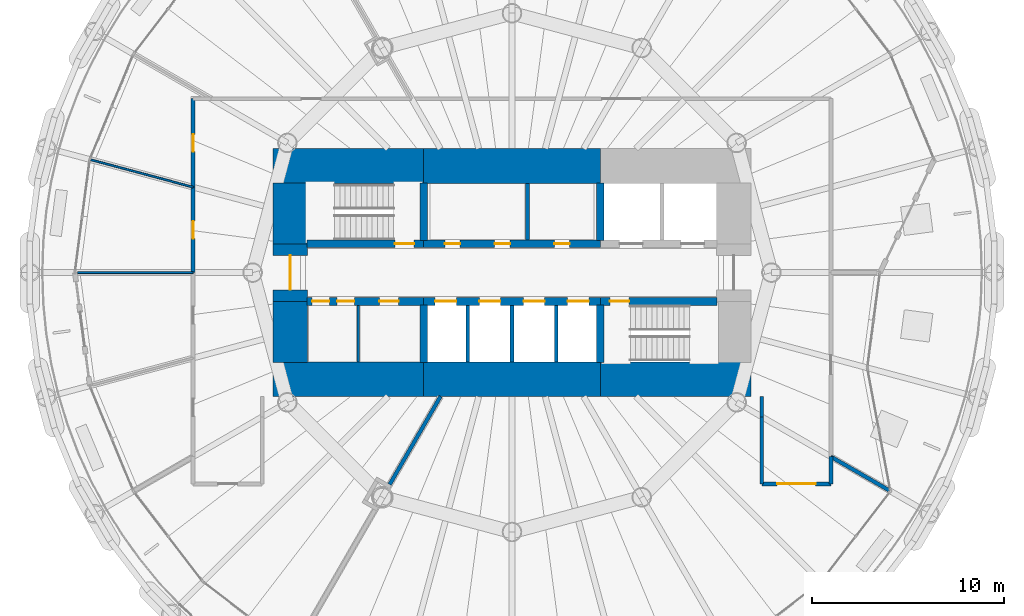
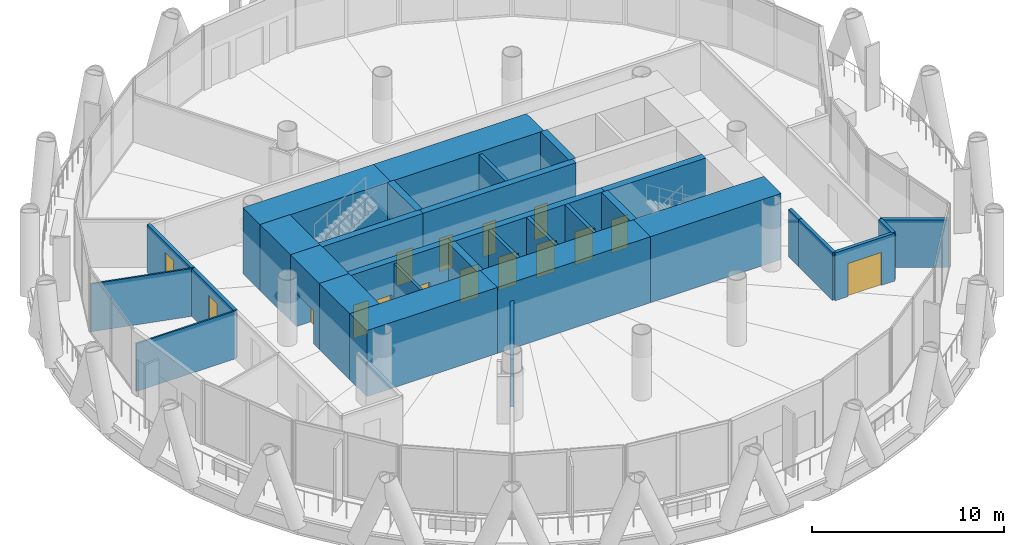
# One storey, part 10 of 15: 32 walls, 16 doors, 16 openings.
"""IFC4 building model written with IfcOpenShell, lengths in metres."""

from ifc_helpers import new_model, si_unit, direction, frame, frame_2d, origin, place, context, subcontext, project, spatial, rectangle, extrude, material, layer, layer_set, type_object, element, fill, save


model = new_model("IFC4")

# Units and contexts
model_context = context("Model", 3, precision=1e-05, world=origin(), true_north=direction((0.0, 1.0)))
body_context = subcontext(model_context, "Body", "Model", "MODEL_VIEW")
ifc_project = project(units=[si_unit("LENGTHUNIT", "METRE"), si_unit("AREAUNIT", "SQUARE_METRE"), si_unit("VOLUMEUNIT", "CUBIC_METRE"), si_unit("PLANEANGLEUNIT", "RADIAN"), si_unit("MASSUNIT", "GRAM", prefix="KILO")], contexts=[model_context])

# Site, building, storey
site_placement = place(None, origin())
site = spatial("IfcSite", under=ifc_project, at=site_placement, CompositionType="ELEMENT")
building_placement = place(site_placement, origin())
building = spatial("IfcBuilding", under=site, at=building_placement, Name="Qaws Media Tower", CompositionType="ELEMENT")
storey_placement = place(building_placement, frame((0.0, 0.0, 122.60009765625)))
storey = spatial("IfcBuildingStorey", under=building, at=storey_placement, Name="L27", CompositionType="ELEMENT", Elevation=122.60009765625)

# Wall, opening, door
ifc_material_1 = material(Name="Concrete C60/75", Category="concrete")
ifc_layer_1 = layer(ifc_material_1, 0.39990234375)
ifc_layer_set_1 = layer_set([ifc_layer_1], Name="Core inner wall 400")
wall_type_1 = type_object("IfcWallType", Name="Core inner wall 400", PredefinedType="SHEAR", material=ifc_layer_set_1)
wall_1_placement = place(storey_placement, frame((49.330078125, 51.5, 0.0), z_axis=(0.0, 0.0, 1.0), x_axis=(1.0, 0.0, 0.0)))
wall_1 = element("IfcWall", 1, at=wall_1_placement, inside=storey, type_object=wall_type_1, Name="W321 SW4 core wall SPNW L27", PredefinedType="SHEAR", context=body_context, shape_type="SweptSolid", body=[
    extrude(rectangle(XDim=6.06982421875, YDim=0.39990234375, at=frame_2d((3.034912109375, 0.0))), origin(), (0.0, 0.0, 1.0), 4.199951171875),
])
opening_1_placement = place(wall_1_placement, frame((4.570068359375, 0.0, 0.0)))
opening_1 = element("IfcOpeningElement", 2, at=opening_1_placement, cuts=wall_1, Name="Opening D1", PredefinedType="OPENING", context=body_context, shape_type="SweptSolid", body=[
    extrude(rectangle(XDim=1.0, YDim=2.10009765625, at=frame_2d((0.5, 1.050048828125))), frame((0.0, 0.2099609375, 0.0), z_axis=(0.0, -1.0, 0.0), x_axis=(1.0, 0.0, 0.0)), (0.0, 0.0, 1.0), 0.419921875),
])
ifc_material_2 = material(Name="Steel, fire rated", Category="steel")
door_type_1 = type_object("IfcDoorType", Name="Stair door 1000 FD120", OperationType="SINGLE_SWING_LEFT", PredefinedType="DOOR", material=ifc_material_2)
door_1_placement = place(opening_1_placement, origin())
door_1 = element("IfcDoor", 3, at=door_1_placement, inside=storey, type_object=door_type_1, Name="D1 stair S1 door L27 in wall W321", OperationType="SINGLE_SWING_LEFT", OverallHeight=2.10009765625, OverallWidth=1.0, PredefinedType="DOOR", context=body_context, shape_type="SweptSolid", body=[
    extrude(rectangle(XDim=1.0, YDim=2.10009765625, at=frame_2d((0.5, 1.050048828125))), frame((0.0, 0.02490234375, 0.0), z_axis=(0.0, -1.0, 0.0), x_axis=(1.0, 0.0, 0.0)), (0.0, 0.0, 1.0), 0.050048828125),
])
fill(opening_1, door_1)

# Wall, openings, doors
wall_2_placement = place(storey_placement, frame((55.39990234375, 51.5, 0.0), z_axis=(0.0, 0.0, 1.0), x_axis=(1.0, 0.0, 0.0)))
wall_2 = element("IfcWall", 4, at=wall_2_placement, inside=storey, type_object=wall_type_1, Name="W314 SW4 core wall SPN L27", PredefinedType="SHEAR", context=body_context, shape_type="SweptSolid", body=[
    extrude(rectangle(XDim=9.2001953125, YDim=0.39990234375, at=frame_2d((4.60009765625, 0.0))), origin(), (0.0, 0.0, 1.0), 4.199951171875),
])
opening_2_placement = place(wall_2_placement, frame((1.10009765625, 0.0, 0.0)))
opening_2 = element("IfcOpeningElement", 5, at=opening_2_placement, cuts=wall_2, Name="Opening D23", PredefinedType="OPENING", context=body_context, shape_type="SweptSolid", body=[
    extrude(rectangle(XDim=0.800048828125, YDim=2.10009765625, at=frame_2d((0.39990234375, 1.050048828125))), frame((0.0, 0.2099609375, 0.0), z_axis=(0.0, -1.0, 0.0), x_axis=(1.0, 0.0, 0.0)), (0.0, 0.0, 1.0), 0.419921875),
])
opening_3_placement = place(wall_2_placement, frame((3.699951171875, 0.0, 0.0)))
opening_3 = element("IfcOpeningElement", 6, at=opening_3_placement, cuts=wall_2, Name="Opening D23", PredefinedType="OPENING", context=body_context, shape_type="SweptSolid", body=[
    extrude(rectangle(XDim=0.800048828125, YDim=2.10009765625, at=frame_2d((0.39990234375, 1.050048828125))), frame((0.0, 0.2099609375, 0.0), z_axis=(0.0, -1.0, 0.0), x_axis=(1.0, 0.0, 0.0)), (0.0, 0.0, 1.0), 0.419921875),
])
opening_4_placement = place(wall_2_placement, frame((6.800048828125, 0.0, 0.0)))
opening_4 = element("IfcOpeningElement", 7, at=opening_4_placement, cuts=wall_2, Name="Opening D23", PredefinedType="OPENING", context=body_context, shape_type="SweptSolid", body=[
    extrude(rectangle(XDim=0.800048828125, YDim=2.10009765625, at=frame_2d((0.39990234375, 1.050048828125))), frame((0.0, 0.2099609375, 0.0), z_axis=(0.0, -1.0, 0.0), x_axis=(1.0, 0.0, 0.0)), (0.0, 0.0, 1.0), 0.419921875),
])
ifc_material_3 = material(Name="Steel, fire rated", Category="steel")
door_type_2 = type_object("IfcDoorType", Name="Core room door 800x2100", OperationType="SINGLE_SWING_LEFT", PredefinedType="DOOR", material=ifc_material_3)
door_2_placement = place(opening_2_placement, origin())
door_2 = element("IfcDoor", 8, at=door_2_placement, inside=storey, type_object=door_type_2, Name="D23 Gents toilets door L27 1 in wall W314", OperationType="SINGLE_SWING_LEFT", OverallHeight=2.10009765625, OverallWidth=0.800048828125, PredefinedType="DOOR", context=body_context, shape_type="SweptSolid", body=[
    extrude(rectangle(XDim=0.800048828125, YDim=2.10009765625, at=frame_2d((0.39990234375, 1.050048828125))), frame((0.0, 0.02490234375, 0.0), z_axis=(0.0, -1.0, 0.0), x_axis=(1.0, 0.0, 0.0)), (0.0, 0.0, 1.0), 0.050048828125),
])
fill(opening_2, door_2)
door_3_placement = place(opening_3_placement, origin())
door_3 = element("IfcDoor", 9, at=door_3_placement, inside=storey, type_object=door_type_2, Name="D23 Gents toilets door L27 2 in wall W314", OperationType="SINGLE_SWING_LEFT", OverallHeight=2.10009765625, OverallWidth=0.800048828125, PredefinedType="DOOR", context=body_context, shape_type="SweptSolid", body=[
    extrude(rectangle(XDim=0.800048828125, YDim=2.10009765625, at=frame_2d((0.39990234375, 1.050048828125))), frame((0.0, 0.02490234375, 0.0), z_axis=(0.0, -1.0, 0.0), x_axis=(1.0, 0.0, 0.0)), (0.0, 0.0, 1.0), 0.050048828125),
])
fill(opening_3, door_3)
door_4_placement = place(opening_4_placement, origin())
door_4 = element("IfcDoor", 10, at=door_4_placement, inside=storey, type_object=door_type_2, Name="D23 Ladies toilets door L27 in wall W314", OperationType="SINGLE_SWING_LEFT", OverallHeight=2.10009765625, OverallWidth=0.800048828125, PredefinedType="DOOR", context=body_context, shape_type="SweptSolid", body=[
    extrude(rectangle(XDim=0.800048828125, YDim=2.10009765625, at=frame_2d((0.39990234375, 1.050048828125))), frame((0.0, 0.02490234375, 0.0), z_axis=(0.0, -1.0, 0.0), x_axis=(1.0, 0.0, 0.0)), (0.0, 0.0, 1.0), 0.050048828125),
])
fill(opening_4, door_4)

wall_3_placement = place(storey_placement, frame((49.330078125, 48.5, 0.0), z_axis=(0.0, 0.0, 1.0), x_axis=(1.0, 0.0, 0.0)))
wall_3 = element("IfcWall", 11, at=wall_3_placement, inside=storey, type_object=wall_type_1, Name="W320 SW4 core wall SPSW L27", PredefinedType="SHEAR", context=body_context, shape_type="SweptSolid", body=[
    extrude(rectangle(XDim=6.06982421875, YDim=0.39990234375, at=frame_2d((3.034912109375, 0.0))), origin(), (0.0, 0.0, 1.0), 4.199951171875),
])
opening_5_placement = place(wall_3_placement, frame((0.27001953125, 0.0, 0.0)))
opening_5 = element("IfcOpeningElement", 12, at=opening_5_placement, cuts=wall_3, Name="Opening D3", PredefinedType="OPENING", context=body_context, shape_type="SweptSolid", body=[
    extrude(rectangle(XDim=0.89990234375, YDim=2.10009765625, at=frame_2d((0.449951171875, 1.050048828125))), frame((0.0, 0.2099609375, 0.0), z_axis=(0.0, -1.0, 0.0), x_axis=(1.0, 0.0, 0.0)), (0.0, 0.0, 1.0), 0.419921875),
])
opening_6_placement = place(wall_3_placement, frame((1.570068359375, 0.0, 0.0)))
opening_6 = element("IfcOpeningElement", 13, at=opening_6_placement, cuts=wall_3, Name="Opening D3", PredefinedType="OPENING", context=body_context, shape_type="SweptSolid", body=[
    extrude(rectangle(XDim=0.89990234375, YDim=2.10009765625, at=frame_2d((0.449951171875, 1.050048828125))), frame((0.0, 0.2099609375, 0.0), z_axis=(0.0, -1.0, 0.0), x_axis=(1.0, 0.0, 0.0)), (0.0, 0.0, 1.0), 0.419921875),
])
opening_7_placement = place(wall_3_placement, frame((3.77001953125, 0.0, 0.0)))
opening_7 = element("IfcOpeningElement", 14, at=opening_7_placement, cuts=wall_3, Name="Opening D4", PredefinedType="OPENING", context=body_context, shape_type="SweptSolid", body=[
    extrude(rectangle(XDim=1.0, YDim=2.10009765625, at=frame_2d((0.5, 1.050048828125))), frame((0.0, 0.2099609375, 0.0), z_axis=(0.0, -1.0, 0.0), x_axis=(1.0, 0.0, 0.0)), (0.0, 0.0, 1.0), 0.419921875),
])
ifc_material_4 = material(Name="Timber veneered", Category="wood")
door_type_3 = type_object("IfcDoorType", Name="Accessible WC door 1000", OperationType="SLIDING_TO_LEFT", PredefinedType="DOOR", material=ifc_material_4)
door_5_placement = place(opening_7_placement, origin())
door_5 = element("IfcDoor", 15, at=door_5_placement, inside=storey, type_object=door_type_3, Name="D4 toilet door 3 L27 in wall W320", OperationType="SLIDING_TO_LEFT", OverallHeight=2.10009765625, OverallWidth=1.0, PredefinedType="DOOR", context=body_context, shape_type="SweptSolid", body=[
    extrude(rectangle(XDim=1.0, YDim=2.10009765625, at=frame_2d((0.5, 1.050048828125))), frame((0.0, 0.02490234375, 0.0), z_axis=(0.0, -1.0, 0.0), x_axis=(1.0, 0.0, 0.0)), (0.0, 0.0, 1.0), 0.050048828125),
])
fill(opening_7, door_5)
ifc_material_5 = material(Name="Timber veneered", Category="wood")
door_type_4 = type_object("IfcDoorType", Name="Toilet door 900", OperationType="SINGLE_SWING_RIGHT", PredefinedType="DOOR", material=ifc_material_5)
door_6_placement = place(opening_5_placement, origin())
door_6 = element("IfcDoor", 16, at=door_6_placement, inside=storey, type_object=door_type_4, Name="D3 toilet door 1 L27 in wall W320", OperationType="SINGLE_SWING_RIGHT", OverallHeight=2.10009765625, OverallWidth=0.89990234375, PredefinedType="DOOR", context=body_context, shape_type="SweptSolid", body=[
    extrude(rectangle(XDim=0.89990234375, YDim=2.10009765625, at=frame_2d((0.449951171875, 1.050048828125))), frame((0.0, 0.02490234375, 0.0), z_axis=(0.0, -1.0, 0.0), x_axis=(1.0, 0.0, 0.0)), (0.0, 0.0, 1.0), 0.050048828125),
])
fill(opening_5, door_6)
door_7_placement = place(opening_6_placement, origin())
door_7 = element("IfcDoor", 17, at=door_7_placement, inside=storey, type_object=door_type_4, Name="D3 toilet door 2 L27 in wall W320", OperationType="SINGLE_SWING_RIGHT", OverallHeight=2.10009765625, OverallWidth=0.89990234375, PredefinedType="DOOR", context=body_context, shape_type="SweptSolid", body=[
    extrude(rectangle(XDim=0.89990234375, YDim=2.10009765625, at=frame_2d((0.449951171875, 1.050048828125))), frame((0.0, 0.02490234375, 0.0), z_axis=(0.0, -1.0, 0.0), x_axis=(1.0, 0.0, 0.0)), (0.0, 0.0, 1.0), 0.050048828125),
])
fill(opening_6, door_7)

wall_4_placement = place(storey_placement, frame((55.39990234375, 48.5, 0.0), z_axis=(0.0, 0.0, 1.0), x_axis=(1.0, 0.0, 0.0)))
wall_4 = element("IfcWall", 18, at=wall_4_placement, inside=storey, type_object=wall_type_1, Name="W313 SW4 core wall SPS L27", PredefinedType="SHEAR", context=body_context, shape_type="SweptSolid", body=[
    extrude(rectangle(XDim=9.2001953125, YDim=0.39990234375, at=frame_2d((4.60009765625, 0.0))), origin(), (0.0, 0.0, 1.0), 4.199951171875),
])
opening_8_placement = place(wall_4_placement, frame((0.60009765625, 0.0, 0.0)))
opening_8 = element("IfcOpeningElement", 19, at=opening_8_placement, cuts=wall_4, Name="Opening LD", PredefinedType="OPENING", context=body_context, shape_type="SweptSolid", body=[
    extrude(rectangle(XDim=1.10009765625, YDim=2.10009765625, at=frame_2d((0.550048828125, 1.050048828125))), frame((0.0, 0.2099609375, 0.0), z_axis=(0.0, -1.0, 0.0), x_axis=(1.0, 0.0, 0.0)), (0.0, 0.0, 1.0), 0.419921875),
])
opening_9_placement = place(wall_4_placement, frame((2.89990234375, 0.0, 0.0)))
opening_9 = element("IfcOpeningElement", 20, at=opening_9_placement, cuts=wall_4, Name="Opening LD", PredefinedType="OPENING", context=body_context, shape_type="SweptSolid", body=[
    extrude(rectangle(XDim=1.10009765625, YDim=2.10009765625, at=frame_2d((0.550048828125, 1.050048828125))), frame((0.0, 0.2099609375, 0.0), z_axis=(0.0, -1.0, 0.0), x_axis=(1.0, 0.0, 0.0)), (0.0, 0.0, 1.0), 0.419921875),
])
opening_10_placement = place(wall_4_placement, frame((5.199951171875, 0.0, 0.0)))
opening_10 = element("IfcOpeningElement", 21, at=opening_10_placement, cuts=wall_4, Name="Opening LD", PredefinedType="OPENING", context=body_context, shape_type="SweptSolid", body=[
    extrude(rectangle(XDim=1.10009765625, YDim=2.10009765625, at=frame_2d((0.550048828125, 1.050048828125))), frame((0.0, 0.2099609375, 0.0), z_axis=(0.0, -1.0, 0.0), x_axis=(1.0, 0.0, 0.0)), (0.0, 0.0, 1.0), 0.419921875),
])
opening_11_placement = place(wall_4_placement, frame((7.5, 0.0, 0.0)))
opening_11 = element("IfcOpeningElement", 22, at=opening_11_placement, cuts=wall_4, Name="Opening LD", PredefinedType="OPENING", context=body_context, shape_type="SweptSolid", body=[
    extrude(rectangle(XDim=1.10009765625, YDim=2.10009765625, at=frame_2d((0.550048828125, 1.050048828125))), frame((0.0, 0.2099609375, 0.0), z_axis=(0.0, -1.0, 0.0), x_axis=(1.0, 0.0, 0.0)), (0.0, 0.0, 1.0), 0.419921875),
])
ifc_material_6 = material(Name="Steel, fire rated", Category="steel")
door_type_5 = type_object("IfcDoorType", Name="Lift landing door 1100", OperationType="SLIDING_TO_LEFT", PredefinedType="DOOR", material=ifc_material_6)
door_8_placement = place(opening_8_placement, origin())
door_8 = element("IfcDoor", 23, at=door_8_placement, inside=storey, type_object=door_type_5, Name="P5 landing door L27 in wall W313", OperationType="SLIDING_TO_LEFT", OverallHeight=2.10009765625, OverallWidth=1.10009765625, PredefinedType="DOOR", context=body_context, shape_type="SweptSolid", body=[
    extrude(rectangle(XDim=1.10009765625, YDim=2.10009765625, at=frame_2d((0.550048828125, 1.050048828125))), frame((0.0, 0.02490234375, 0.0), z_axis=(0.0, -1.0, 0.0), x_axis=(1.0, 0.0, 0.0)), (0.0, 0.0, 1.0), 0.050048828125),
])
fill(opening_8, door_8)
door_9_placement = place(opening_9_placement, origin())
door_9 = element("IfcDoor", 24, at=door_9_placement, inside=storey, type_object=door_type_5, Name="P6 landing door L27 in wall W313", OperationType="SLIDING_TO_LEFT", OverallHeight=2.10009765625, OverallWidth=1.10009765625, PredefinedType="DOOR", context=body_context, shape_type="SweptSolid", body=[
    extrude(rectangle(XDim=1.10009765625, YDim=2.10009765625, at=frame_2d((0.550048828125, 1.050048828125))), frame((0.0, 0.02490234375, 0.0), z_axis=(0.0, -1.0, 0.0), x_axis=(1.0, 0.0, 0.0)), (0.0, 0.0, 1.0), 0.050048828125),
])
fill(opening_9, door_9)
door_10_placement = place(opening_10_placement, origin())
door_10 = element("IfcDoor", 25, at=door_10_placement, inside=storey, type_object=door_type_5, Name="P7 landing door L27 in wall W313", OperationType="SLIDING_TO_LEFT", OverallHeight=2.10009765625, OverallWidth=1.10009765625, PredefinedType="DOOR", context=body_context, shape_type="SweptSolid", body=[
    extrude(rectangle(XDim=1.10009765625, YDim=2.10009765625, at=frame_2d((0.550048828125, 1.050048828125))), frame((0.0, 0.02490234375, 0.0), z_axis=(0.0, -1.0, 0.0), x_axis=(1.0, 0.0, 0.0)), (0.0, 0.0, 1.0), 0.050048828125),
])
fill(opening_10, door_10)
door_11_placement = place(opening_11_placement, origin())
door_11 = element("IfcDoor", 26, at=door_11_placement, inside=storey, type_object=door_type_5, Name="P8 landing door L27 in wall W313", OperationType="SLIDING_TO_LEFT", OverallHeight=2.10009765625, OverallWidth=1.10009765625, PredefinedType="DOOR", context=body_context, shape_type="SweptSolid", body=[
    extrude(rectangle(XDim=1.10009765625, YDim=2.10009765625, at=frame_2d((0.550048828125, 1.050048828125))), frame((0.0, 0.02490234375, 0.0), z_axis=(0.0, -1.0, 0.0), x_axis=(1.0, 0.0, 0.0)), (0.0, 0.0, 1.0), 0.050048828125),
])
fill(opening_11, door_11)

# Wall, opening, door
wall_5_placement = place(storey_placement, frame((64.60009765625, 48.5, 0.0), z_axis=(0.0, 0.0, 1.0), x_axis=(1.0, 0.0, 0.0)))
wall_5 = element("IfcWall", 27, at=wall_5_placement, inside=storey, type_object=wall_type_1, Name="W325 SW4 core wall SPSE L27", PredefinedType="SHEAR", context=body_context, shape_type="SweptSolid", body=[
    extrude(rectangle(XDim=6.06982421875, YDim=0.39990234375, at=frame_2d((3.034912109375, 0.0))), origin(), (0.0, 0.0, 1.0), 4.199951171875),
])
opening_12_placement = place(wall_5_placement, frame((0.5, 0.0, 0.0)))
opening_12 = element("IfcOpeningElement", 28, at=opening_12_placement, cuts=wall_5, Name="Opening D1", PredefinedType="OPENING", context=body_context, shape_type="SweptSolid", body=[
    extrude(rectangle(XDim=1.0, YDim=2.10009765625, at=frame_2d((0.5, 1.050048828125))), frame((0.0, 0.2099609375, 0.0), z_axis=(0.0, -1.0, 0.0), x_axis=(1.0, 0.0, 0.0)), (0.0, 0.0, 1.0), 0.419921875),
])
door_12_placement = place(opening_12_placement, origin())
door_12 = element("IfcDoor", 29, at=door_12_placement, inside=storey, type_object=door_type_1, Name="D1 stair S2 door L27 in wall W325", OperationType="SINGLE_SWING_LEFT", OverallHeight=2.10009765625, OverallWidth=1.0, PredefinedType="DOOR", context=body_context, shape_type="SweptSolid", body=[
    extrude(rectangle(XDim=1.0, YDim=2.10009765625, at=frame_2d((0.5, 1.050048828125))), frame((0.0, 0.02490234375, 0.0), z_axis=(0.0, -1.0, 0.0), x_axis=(1.0, 0.0, 0.0)), (0.0, 0.0, 1.0), 0.050048828125),
])
fill(opening_12, door_12)

# Walls
for number, where, z_axis, x_axis, name in (
    (30, (55.39990234375, 51.679931640625, 0.0), (0.0, 0.0, 1.0), (0.0, 1.0, 0.0), "W323 SW4 core wall XNW L27"),
    (31, (64.60009765625, 51.679931640625, 0.0), (0.0, 0.0, 1.0), (0.0, 1.0, 0.0), "W327 SW4 core wall XNE L27"),
    (32, (55.39990234375, 48.320068359375, 0.0), (0.0, 0.0, 1.0), (0.0, -1.0, 0.0), "W322 SW4 core wall XSW L27"),
    (33, (64.60009765625, 48.320068359375, 0.0), (0.0, 0.0, 1.0), (0.0, -1.0, 0.0), "W324 SW4 core wall XSE L27"),
):
    element("IfcWall", number, at=place(storey_placement, frame(where, z_axis=z_axis, x_axis=x_axis)), inside=storey, type_object=wall_type_1, Name=name, PredefinedType="SHEAR", context=body_context, shape_type="SweptSolid", body=[
        extrude(rectangle(XDim=2.989990234375, YDim=0.39990234375, at=frame_2d((1.4951171875, 0.0))), origin(), (0.0, 0.0, 1.0), 4.199951171875),
    ])
ifc_material_7 = material(Name="Concrete C60/75", Category="concrete")
ifc_layer_2 = layer(ifc_material_7, 1.800048828125)
ifc_layer_set_2 = layer_set([ifc_layer_2], Name="Core wall 1800")
wall_type_2 = type_object("IfcWallType", Name="Core wall 1800", PredefinedType="SHEAR", material=ifc_layer_set_2)
wall_6_placement = place(storey_placement, frame((47.550048828125, 55.550048828125, 0.0), z_axis=(0.0, 0.0, 1.0), x_axis=(1.0, 0.0, 0.0)))
element("IfcWall", 34, at=wall_6_placement, inside=storey, type_object=wall_type_2, Name="W417 SW11 core wall NW L27", PredefinedType="SHEAR", context=body_context, shape_type="SweptSolid", body=[
    extrude(rectangle(XDim=7.849853515625, YDim=1.800048828125, at=frame_2d((3.9248046875, 0.0))), origin(), (0.0, 0.0, 1.0), 4.199951171875),
])
wall_7_placement = place(storey_placement, frame((55.39990234375, 55.550048828125, 0.0), z_axis=(0.0, 0.0, 1.0), x_axis=(1.0, 0.0, 0.0)))
element("IfcWall", 35, at=wall_7_placement, inside=storey, type_object=wall_type_2, Name="W421 SW11 core wall N L27", PredefinedType="SHEAR", context=body_context, shape_type="SweptSolid", body=[
    extrude(rectangle(XDim=9.2001953125, YDim=1.800048828125, at=frame_2d((4.60009765625, 0.0))), origin(), (0.0, 0.0, 1.0), 4.199951171875),
])
wall_8_placement = place(storey_placement, frame((47.550048828125, 44.449951171875, 0.0), z_axis=(0.0, 0.0, 1.0), x_axis=(1.0, 0.0, 0.0)))
element("IfcWall", 36, at=wall_8_placement, inside=storey, type_object=wall_type_2, Name="W416 SW11 core wall SW L27", PredefinedType="SHEAR", context=body_context, shape_type="SweptSolid", body=[
    extrude(rectangle(XDim=7.849853515625, YDim=1.800048828125, at=frame_2d((3.9248046875, 0.0))), origin(), (0.0, 0.0, 1.0), 4.199951171875),
])
wall_9_placement = place(storey_placement, frame((55.39990234375, 44.449951171875, 0.0), z_axis=(0.0, 0.0, 1.0), x_axis=(1.0, 0.0, 0.0)))
element("IfcWall", 37, at=wall_9_placement, inside=storey, type_object=wall_type_2, Name="W420 SW11 core wall S L27", PredefinedType="SHEAR", context=body_context, shape_type="SweptSolid", body=[
    extrude(rectangle(XDim=9.2001953125, YDim=1.800048828125, at=frame_2d((4.60009765625, 0.0))), origin(), (0.0, 0.0, 1.0), 4.199951171875),
])
wall_10_placement = place(storey_placement, frame((64.60009765625, 44.449951171875, 0.0), z_axis=(0.0, 0.0, 1.0), x_axis=(1.0, 0.0, 0.0)))
element("IfcWall", 38, at=wall_10_placement, inside=storey, type_object=wall_type_2, Name="W422 SW11 core wall SE L27", PredefinedType="SHEAR", context=body_context, shape_type="SweptSolid", body=[
    extrude(rectangle(XDim=7.849853515625, YDim=1.800048828125, at=frame_2d((3.9248046875, 0.0))), origin(), (0.0, 0.0, 1.0), 4.199951171875),
])
wall_11_placement = place(storey_placement, frame((48.449951171875, 45.330078125, 0.0), z_axis=(0.0, 0.0, 1.0), x_axis=(0.0, 1.0, 0.0)))
element("IfcWall", 39, at=wall_11_placement, inside=storey, type_object=wall_type_2, Name="W418 SW11 core wall WS L27", PredefinedType="SHEAR", context=body_context, shape_type="SweptSolid", body=[
    extrude(rectangle(XDim=3.169921875, YDim=1.800048828125, at=frame_2d((1.5849609375, 0.0))), origin(), (0.0, 0.0, 1.0), 4.199951171875),
])

# Wall, opening, door
wall_12_placement = place(storey_placement, frame((48.449951171875, 48.5, 0.0), z_axis=(0.0, 0.0, 1.0), x_axis=(0.0, 1.0, 0.0)))
wall_12 = element("IfcWall", 40, at=wall_12_placement, inside=storey, type_object=wall_type_2, Name="W426 SW11 core wall W L27", PredefinedType="SHEAR", context=body_context, shape_type="SweptSolid", body=[
    extrude(rectangle(XDim=3.0, YDim=1.800048828125, at=frame_2d((1.5, 0.0))), origin(), (0.0, 0.0, 1.0), 4.199951171875),
])
opening_13_placement = place(wall_12_placement, frame((0.60009765625, 0.0, 0.0)))
opening_13 = element("IfcOpeningElement", 41, at=opening_13_placement, cuts=wall_12, Name="Opening D2", PredefinedType="OPENING", context=body_context, shape_type="SweptSolid", body=[
    extrude(rectangle(XDim=1.800048828125, YDim=2.10009765625, at=frame_2d((0.89990234375, 1.050048828125))), frame((0.0, 0.909912109375, 0.0), z_axis=(0.0, -1.0, 0.0), x_axis=(1.0, 0.0, 0.0)), (0.0, 0.0, 1.0), 1.820068359375),
])
ifc_material_8 = material(Name="Steel and glass, fire rated", Category="steel")
door_type_6 = type_object("IfcDoorType", Name="Lobby door pair 1800 FD60", OperationType="DOUBLE_DOOR_DOUBLE_SWING", PredefinedType="DOOR", material=ifc_material_8)
door_13_placement = place(opening_13_placement, origin())
door_13 = element("IfcDoor", 42, at=door_13_placement, inside=storey, type_object=door_type_6, Name="D2 core lobby door W L27 in wall W426", OperationType="DOUBLE_DOOR_DOUBLE_SWING", OverallHeight=2.10009765625, OverallWidth=1.800048828125, PredefinedType="DOOR", context=body_context, shape_type="SweptSolid", body=[
    extrude(rectangle(XDim=1.800048828125, YDim=2.10009765625, at=frame_2d((0.89990234375, 1.050048828125))), frame((0.0, 0.02490234375, 0.0), z_axis=(0.0, -1.0, 0.0), x_axis=(1.0, 0.0, 0.0)), (0.0, 0.0, 1.0), 0.050048828125),
])
fill(opening_13, door_13)

# Walls
wall_13_placement = place(storey_placement, frame((48.449951171875, 51.5, 0.0), z_axis=(0.0, 0.0, 1.0), x_axis=(0.0, 1.0, 0.0)))
element("IfcWall", 43, at=wall_13_placement, inside=storey, type_object=wall_type_2, Name="W419 SW11 core wall WN L27", PredefinedType="SHEAR", context=body_context, shape_type="SweptSolid", body=[
    extrude(rectangle(XDim=3.169921875, YDim=1.800048828125, at=frame_2d((1.5849609375, 0.0))), origin(), (0.0, 0.0, 1.0), 4.199951171875),
])
ifc_material_9 = material(Name="Gypsum board on 70 metal studs, single layer each side", Category="gypsum")
ifc_layer_3 = layer(ifc_material_9, 0.10009765625)
ifc_layer_set_3 = layer_set([ifc_layer_3], Name="Office stud partition 100")
wall_type_3 = type_object("IfcWallType", Name="Office stud partition 100", PredefinedType="PARTITIONING", material=ifc_layer_set_3)
wall_14_placement = place(storey_placement, frame((43.405517578125, 54.446533203125, 0.0), z_axis=(0.0, 0.0, 1.0), x_axis=(-0.965933864203, 0.258789045336, 0.0)))
element("IfcWall", 44, at=wall_14_placement, inside=storey, type_object=wall_type_3, Name="W661 IW4 partition L27", PredefinedType="PARTITIONING", context=body_context, shape_type="SweptSolid", body=[
    extrude(rectangle(XDim=5.5302734375, YDim=0.10009765625, at=frame_2d((2.76513671875, 0.0))), origin(), (0.0, 0.0, 1.0), 3.039794921875),
])
wall_15_placement = place(storey_placement, frame((43.39990234375, 50.0, 0.0), z_axis=(0.0, 0.0, 1.0), x_axis=(-1.0, 0.0, 0.0)))
element("IfcWall", 45, at=wall_15_placement, inside=storey, type_object=wall_type_3, Name="W659 IW4 partition L27", PredefinedType="PARTITIONING", context=body_context, shape_type="SweptSolid", body=[
    extrude(rectangle(XDim=6.010009765625, YDim=0.10009765625, at=frame_2d((3.0048828125, 0.0))), origin(), (0.0, 0.0, 1.0), 3.039794921875),
])
ifc_material_10 = material(Name="Gypsum board on galvanised metal studs, acoustic double stud, deflection head", Category="gypsum")
ifc_layer_4 = layer(ifc_material_10, 0.199951171875)
ifc_layer_set_4 = layer_set([ifc_layer_4], Name="Room partition 200")
wall_type_4 = type_object("IfcWallType", Name="Room partition 200", PredefinedType="PARTITIONING", material=ifc_layer_set_4)
wall_16_placement = place(storey_placement, frame((76.60009765625, 40.416015625, 0.0), z_axis=(0.0, 0.0, 1.0), x_axis=(0.0, -1.0, 0.0)))
element("IfcWall", 46, at=wall_16_placement, inside=storey, type_object=wall_type_4, Name="W1263 IW3 partition L27", PredefinedType="PARTITIONING", context=body_context, shape_type="SweptSolid", body=[
    extrude(rectangle(XDim=1.416015625, YDim=0.199951171875, at=frame_2d((0.7080078125, 0.0))), origin(), (0.0, 0.0, 1.0), 3.039794921875),
])

# Wall, opening, door
wall_17_placement = place(storey_placement, frame((76.60009765625, 39.0, 0.0), z_axis=(0.0, 0.0, 1.0), x_axis=(-1.0, 0.0, 0.0)))
wall_17 = element("IfcWall", 47, at=wall_17_placement, inside=storey, type_object=wall_type_4, Name="W1262 IW3 partition L27", PredefinedType="PARTITIONING", context=body_context, shape_type="SweptSolid", body=[
    extrude(rectangle(XDim=3.60009765625, YDim=0.199951171875, at=frame_2d((1.800048828125, 0.0))), origin(), (0.0, 0.0, 1.0), 3.039794921875),
])
opening_14_placement = place(wall_17_placement, frame((0.800048828125, 0.0, 0.0)))
opening_14 = element("IfcOpeningElement", 48, at=opening_14_placement, cuts=wall_17, Name="Opening D6", PredefinedType="OPENING", context=body_context, shape_type="SweptSolid", body=[
    extrude(rectangle(XDim=2.0, YDim=2.10009765625, at=frame_2d((1.0, 1.050048828125))), frame((0.0, 0.10986328125, 0.0), z_axis=(0.0, -1.0, 0.0), x_axis=(1.0, 0.0, 0.0)), (0.0, 0.0, 1.0), 0.219970703125),
])
ifc_material_11 = material(Name="Steel, acoustic, fire rated", Category="steel")
door_type_7 = type_object("IfcDoorType", Name="Room door pair 2000", OperationType="DOUBLE_DOOR_DOUBLE_SWING", PredefinedType="DOOR", material=ifc_material_11)
door_14_placement = place(opening_14_placement, origin())
door_14 = element("IfcDoor", 49, at=door_14_placement, inside=storey, type_object=door_type_7, Name="D6 Finance office door L27 in wall W1262", OperationType="DOUBLE_DOOR_DOUBLE_SWING", OverallHeight=2.10009765625, OverallWidth=2.0, PredefinedType="DOOR", context=body_context, shape_type="SweptSolid", body=[
    extrude(rectangle(XDim=2.0, YDim=2.10009765625, at=frame_2d((1.0, 1.050048828125))), frame((0.0, 0.02490234375, 0.0), z_axis=(0.0, -1.0, 0.0), x_axis=(1.0, 0.0, 0.0)), (0.0, 0.0, 1.0), 0.050048828125),
])
fill(opening_14, door_14)

# Walls
wall_18_placement = place(storey_placement, frame((73.0, 39.0, 0.0), z_axis=(0.0, 0.0, 1.0), x_axis=(0.0, 1.0, 0.0)))
element("IfcWall", 50, at=wall_18_placement, inside=storey, type_object=wall_type_4, Name="W1228 IW3 partition L27", PredefinedType="PARTITIONING", context=body_context, shape_type="SweptSolid", body=[
    extrude(rectangle(XDim=3.494384765625, YDim=0.199951171875, at=frame_2d((1.7470703125, 0.0))), origin(), (0.0, 0.0, 1.0), 3.039794921875),
])
wall_19_placement = place(storey_placement, frame((73.0, 42.494384765625, 0.0), z_axis=(0.0, 0.0, 1.0), x_axis=(0.0, 1.0, 0.0)))
element("IfcWall", 51, at=wall_19_placement, inside=storey, type_object=wall_type_4, Name="W1229 IW3 partition L27", PredefinedType="PARTITIONING", context=body_context, shape_type="SweptSolid", body=[
    extrude(rectangle(XDim=1.0556640625, YDim=0.199951171875, at=frame_2d((0.52783203125, 0.0))), origin(), (0.0, 0.0, 1.0), 3.039794921875),
])

# Wall, opening, door
wall_20_placement = place(storey_placement, frame((43.39990234375, 50.0, 0.0), z_axis=(0.0, 0.0, 1.0), x_axis=(0.0, 1.0, 0.0)))
wall_20 = element("IfcWall", 52, at=wall_20_placement, inside=storey, type_object=wall_type_4, Name="W1248 IW3 partition L27", PredefinedType="PARTITIONING", context=body_context, shape_type="SweptSolid", body=[
    extrude(rectangle(XDim=4.447998046875, YDim=0.199951171875, at=frame_2d((2.22412109375, 0.0))), origin(), (0.0, 0.0, 1.0), 3.039794921875),
])
opening_15_placement = place(wall_20_placement, frame((1.77392578125, 0.0, 0.0)))
opening_15 = element("IfcOpeningElement", 53, at=opening_15_placement, cuts=wall_20, Name="Opening D12", PredefinedType="OPENING", context=body_context, shape_type="SweptSolid", body=[
    extrude(rectangle(XDim=0.89990234375, YDim=2.39990234375, at=frame_2d((0.449951171875, 1.199951171875))), frame((0.0, 0.10986328125, 0.0), z_axis=(0.0, -1.0, 0.0), x_axis=(1.0, 0.0, 0.0)), (0.0, 0.0, 1.0), 0.219970703125),
])
ifc_material_12 = material(Name="Timber veneered, full height", Category="wood")
door_type_8 = type_object("IfcDoorType", Name="Office door 900x2400", OperationType="SINGLE_SWING_LEFT", PredefinedType="DOOR", material=ifc_material_12)
door_15_placement = place(opening_15_placement, origin())
door_15 = element("IfcDoor", 54, at=door_15_placement, inside=storey, type_object=door_type_8, Name="D12 Office door L27 in wall W1248", OperationType="SINGLE_SWING_LEFT", OverallHeight=2.39990234375, OverallWidth=0.89990234375, PredefinedType="DOOR", context=body_context, shape_type="SweptSolid", body=[
    extrude(rectangle(XDim=0.89990234375, YDim=2.39990234375, at=frame_2d((0.449951171875, 1.199951171875))), frame((0.0, 0.02490234375, 0.0), z_axis=(0.0, -1.0, 0.0), x_axis=(1.0, 0.0, 0.0)), (0.0, 0.0, 1.0), 0.050048828125),
])
fill(opening_15, door_15)

wall_21_placement = place(storey_placement, frame((43.39990234375, 54.447998046875, 0.0), z_axis=(0.0, 0.0, 1.0), x_axis=(0.0, 1.0, 0.0)))
wall_21 = element("IfcWall", 55, at=wall_21_placement, inside=storey, type_object=wall_type_4, Name="W1249 IW3 partition L27", PredefinedType="PARTITIONING", context=body_context, shape_type="SweptSolid", body=[
    extrude(rectangle(XDim=4.60205078125, YDim=0.199951171875, at=frame_2d((2.301025390625, 0.0))), origin(), (0.0, 0.0, 1.0), 3.039794921875),
])
opening_16_placement = place(wall_21_placement, frame((1.85107421875, 0.0, 0.0)))
opening_16 = element("IfcOpeningElement", 56, at=opening_16_placement, cuts=wall_21, Name="Opening D12", PredefinedType="OPENING", context=body_context, shape_type="SweptSolid", body=[
    extrude(rectangle(XDim=0.89990234375, YDim=2.39990234375, at=frame_2d((0.449951171875, 1.199951171875))), frame((0.0, 0.10986328125, 0.0), z_axis=(0.0, -1.0, 0.0), x_axis=(1.0, 0.0, 0.0)), (0.0, 0.0, 1.0), 0.219970703125),
])
door_16_placement = place(opening_16_placement, origin())
door_16 = element("IfcDoor", 57, at=door_16_placement, inside=storey, type_object=door_type_8, Name="D12 Office door L27 in wall W1249", OperationType="SINGLE_SWING_LEFT", OverallHeight=2.39990234375, OverallWidth=0.89990234375, PredefinedType="DOOR", context=body_context, shape_type="SweptSolid", body=[
    extrude(rectangle(XDim=0.89990234375, YDim=2.39990234375, at=frame_2d((0.449951171875, 1.199951171875))), frame((0.0, 0.02490234375, 0.0), z_axis=(0.0, -1.0, 0.0), x_axis=(1.0, 0.0, 0.0)), (0.0, 0.0, 1.0), 0.050048828125),
])
fill(opening_16, door_16)

# Walls
wall_22_placement = place(storey_placement, frame((56.280029296875, 43.556884765625, 0.0), z_axis=(0.0, 0.0, 1.0), x_axis=(-0.49999933383, -0.866025788398, 0.0)))
element("IfcWall", 58, at=wall_22_placement, inside=storey, type_object=wall_type_4, Name="W1259 IW3 partition L27", PredefinedType="PARTITIONING", context=body_context, shape_type="SweptSolid", body=[
    extrude(rectangle(XDim=5.2919921875, YDim=0.199951171875, at=frame_2d((2.64599609375, 0.0))), origin(), (0.0, 0.0, 1.0), 3.039794921875),
])
wall_23_placement = place(storey_placement, frame((76.593017578125, 40.419921875, 0.0), z_axis=(0.0, 0.0, 1.0), x_axis=(0.8660424351, -0.499970499736, 0.0)))
element("IfcWall", 59, at=wall_23_placement, inside=storey, type_object=wall_type_4, Name="W1261 IW3 partition L27", PredefinedType="PARTITIONING", context=body_context, shape_type="SweptSolid", body=[
    extrude(rectangle(XDim=3.550048828125, YDim=0.199951171875, at=frame_2d((1.77490234375, 0.0))), origin(), (0.0, 0.0, 1.0), 3.039794921875),
])
wall_24_placement = place(storey_placement, frame((60.800048828125, 51.699951171875, 0.0), z_axis=(0.0, 0.0, 1.0), x_axis=(0.0, 1.0, 0.0)))
element("IfcWall", 60, at=wall_24_placement, inside=storey, type_object=wall_type_4, Name="W1260 IW3 core room partition 1 L27", PredefinedType="PARTITIONING", context=body_context, shape_type="SweptSolid", body=[
    extrude(rectangle(XDim=2.949951171875, YDim=0.199951171875, at=frame_2d((1.47509765625, 0.0))), origin(), (0.0, 0.0, 1.0), 4.039794921875),
])
ifc_material_13 = material(Name="Fire-rated gypsum board shaft wall on galvanised metal studs, deflection head", Category="gypsum")
ifc_layer_5 = layer(ifc_material_13, 0.199951171875)
ifc_layer_set_5 = layer_set([ifc_layer_5], Name="Shaft wall 200")
wall_type_5 = type_object("IfcWallType", Name="Shaft wall 200", PredefinedType="PARTITIONING", material=ifc_layer_set_5)
for number, where, z_axis, x_axis, name in (
    (61, (57.699951171875, 45.35009765625, 0.0), (0.0, 0.0, 1.0), (0.0, 1.0, 0.0), "W1860 IW1 shaft wall S1 L27"),
    (62, (60.0, 45.35009765625, 0.0), (0.0, 0.0, 1.0), (0.0, 1.0, 0.0), "W1861 IW1 shaft wall S2 L27"),
    (63, (62.300048828125, 45.35009765625, 0.0), (0.0, 0.0, 1.0), (0.0, 1.0, 0.0), "W1862 IW1 shaft wall S3 L27"),
):
    element("IfcWall", number, at=place(storey_placement, frame(where, z_axis=z_axis, x_axis=x_axis)), inside=storey, type_object=wall_type_5, Name=name, PredefinedType="PARTITIONING", context=body_context, shape_type="SweptSolid", body=[
        extrude(rectangle(XDim=2.949951171875, YDim=0.199951171875, at=frame_2d((1.47509765625, 0.0))), origin(), (0.0, 0.0, 1.0), 4.199951171875),
    ])
ifc_material_14 = material(Name="Gypsum board on galvanised metal studs, deflection head", Category="gypsum")
ifc_layer_6 = layer(ifc_material_14, 0.14990234375)
ifc_layer_set_6 = layer_set([ifc_layer_6], Name="WC partition 150")
wall_type_6 = type_object("IfcWallType", Name="WC partition 150", PredefinedType="PARTITIONING", material=ifc_layer_set_6)
wall_25_placement = place(storey_placement, frame((52.0, 45.35009765625, 0.0), z_axis=(0.0, 0.0, 1.0), x_axis=(0.0, 1.0, 0.0)))
element("IfcWall", 64, at=wall_25_placement, inside=storey, type_object=wall_type_6, Name="W1914 IW2 toilet partition 1 L27", PredefinedType="PARTITIONING", context=body_context, shape_type="SweptSolid", body=[
    extrude(rectangle(XDim=2.949951171875, YDim=0.14990234375, at=frame_2d((1.47509765625, 0.0))), origin(), (0.0, 0.0, 1.0), 4.039794921875),
])

save(model, "model.ifc")
